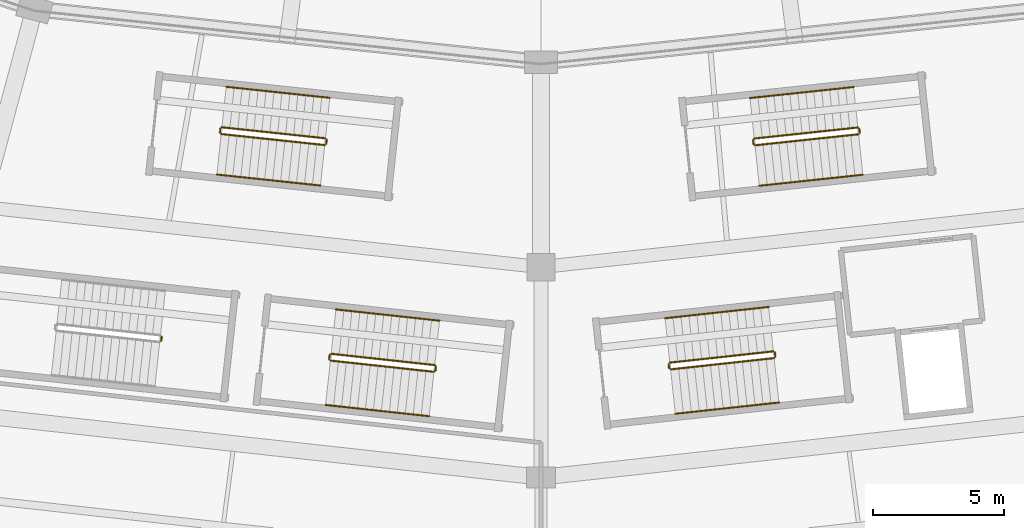
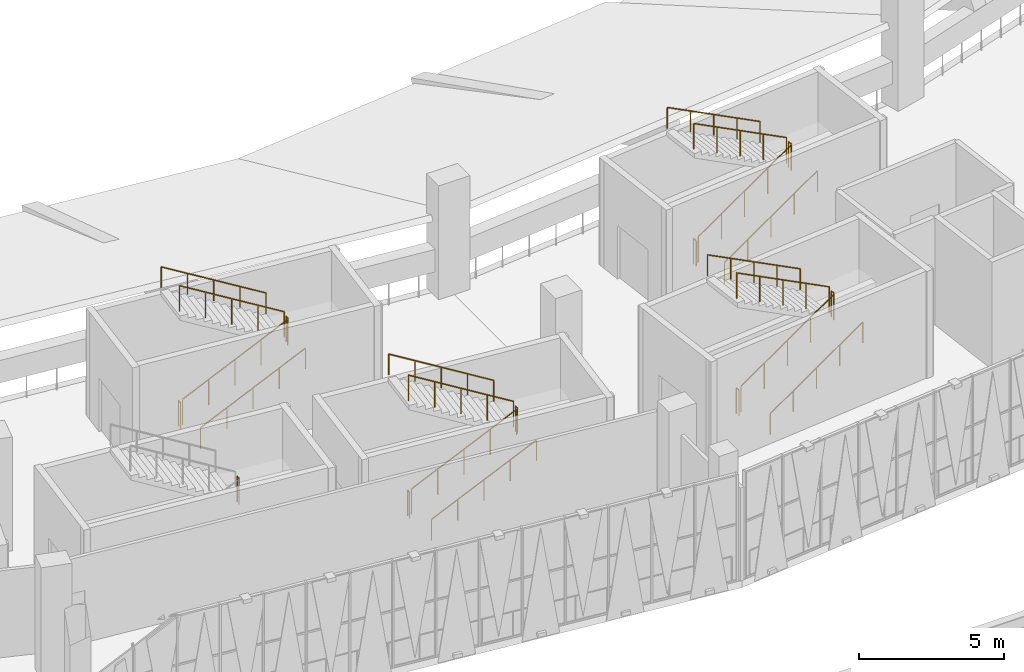
# One storey, part 135 of 183: 25 railings.
"""IFC4 building model written with IfcOpenShell, lengths in metres."""

from ifc_helpers import new_model, si_unit, direction, frame, origin, origin_2d, place, context, subcontext, project, spatial, circle, extrude, material, type_object, element, save


model = new_model("IFC4")

# Units and contexts
model_context = context("Model", 3, precision=1e-05, world=origin(), true_north=direction((0.0, 1.0)))
body_context = subcontext(model_context, "Body", "Model", "MODEL_VIEW")
ifc_project = project(units=[si_unit("LENGTHUNIT", "METRE"), si_unit("AREAUNIT", "SQUARE_METRE"), si_unit("VOLUMEUNIT", "CUBIC_METRE"), si_unit("PLANEANGLEUNIT", "RADIAN"), si_unit("MASSUNIT", "GRAM", prefix="KILO")], contexts=[model_context])

# Site, building, storey
site_placement = place(None, origin())
site = spatial("IfcSite", under=ifc_project, at=site_placement, CompositionType="ELEMENT")
building_placement = place(site_placement, origin())
building = spatial("IfcBuilding", under=site, at=building_placement, Name="Zevraka Park Crest Stadium", CompositionType="ELEMENT")
storey_placement = place(building_placement, frame((0.0, 0.0, 5.39990234375)))
storey = spatial("IfcBuildingStorey", under=building, at=storey_placement, Name="L01", CompositionType="ELEMENT", Elevation=5.39990234375)

# Railings
ifc_material_1 = material(Name="Powder-coated tubular steel stairwell guard", Category="steel")
railing_type_1 = type_object("IfcRailingType", Name="GR03", PredefinedType="GUARDRAIL", material=ifc_material_1)
railing_1_placement = place(storey_placement, frame((97.54345703125, 21.893310546875, 2.400146484375)))
element("IfcRailing", 1, at=railing_1_placement, inside=storey, type_object=railing_type_1, Name="L01 ST18 stair guard 2", PredefinedType="GUARDRAIL", context=body_context, shape_type="SweptSolid", body=[
    extrude(circle(Radius=0.02392578125, at=origin_2d()), frame((0.0, 0.0, 1.076171875), z_axis=(0.108255734054, 0.994123078921, 0.0), x_axis=(-0.994123078921, 0.108255734054, 0.0)), (0.0, 0.0, 1.0), 0.16015625),
    extrude(circle(Radius=0.02099609375, at=origin_2d()), origin(), (0.0, 0.0, 1.0), 1.052001953125),
    extrude(circle(Radius=0.02099609375, at=origin_2d()), frame((0.017333984375, 0.1591796875, 0.0)), (0.0, 0.0, 1.0), 1.052001953125),
])
railing_2_placement = place(storey_placement, frame((116.932861328125, 20.80615234375, 0.171630859375)))
element("IfcRailing", 2, at=railing_2_placement, inside=storey, type_object=railing_type_1, Name="L01 ST19 stair guard 1", PredefinedType="GUARDRAIL", context=body_context, shape_type="SweptSolid", body=[
    extrude(circle(Radius=0.02392578125, at=origin_2d()), frame((0.0, 0.0, 1.076171875), z_axis=(0.866632504116, 0.094360209478, 0.489943112695), x_axis=(-0.108241734952, 0.994124603264, 0.0)), (0.0, 0.0, 1.0), 4.548583984375),
    extrude(circle(Radius=0.02099609375, at=origin_2d()), origin(), (0.0, 0.0, 1.0), 1.052001953125),
    extrude(circle(Radius=0.02099609375, at=origin_2d()), frame((0.9853515625, 0.107421875, 0.55712890625)), (0.0, 0.0, 1.0), 1.052001953125),
    extrude(circle(Radius=0.02099609375, at=origin_2d()), frame((1.970947265625, 0.214599609375, 1.1142578125)), (0.0, 0.0, 1.0), 1.052001953125),
    extrude(circle(Radius=0.02099609375, at=origin_2d()), frame((2.95654296875, 0.32177734375, 1.67138671875)), (0.0, 0.0, 1.0), 1.052001953125),
    extrude(circle(Radius=0.02099609375, at=origin_2d()), frame((3.94189453125, 0.42919921875, 2.228515625)), (0.0, 0.0, 1.0), 1.052001953125),
])
railing_3_placement = place(storey_placement, frame((120.9189453125, 21.29052734375, 2.400146484375)))
element("IfcRailing", 3, at=railing_3_placement, inside=storey, type_object=railing_type_1, Name="L01 ST19 stair guard 2", PredefinedType="GUARDRAIL", context=body_context, shape_type="SweptSolid", body=[
    extrude(circle(Radius=0.02392578125, at=origin_2d()), frame((0.0, 0.0, 1.076171875), z_axis=(-0.108420072245, 0.994105169454, 0.0), x_axis=(-0.994105169454, -0.108420072245, 0.0)), (0.0, 0.0, 1.0), 0.159912109375),
    extrude(circle(Radius=0.02099609375, at=origin_2d()), origin(), (0.0, 0.0, 1.0), 1.052001953125),
    extrude(circle(Radius=0.02099609375, at=origin_2d()), frame((-0.017333984375, 0.158935546875, 0.0)), (0.0, 0.0, 1.0), 1.052001953125),
])
railing_4_placement = place(storey_placement, frame((120.846435546875, 21.493896484375, 2.571533203125)))
element("IfcRailing", 4, at=railing_4_placement, inside=storey, type_object=railing_type_1, Name="L01 ST19 stair guard 3", PredefinedType="GUARDRAIL", context=body_context, shape_type="SweptSolid", body=[
    extrude(circle(Radius=0.02392578125, at=origin_2d()), frame((0.0, 0.0, 1.076171875), z_axis=(-0.866619140956, -0.094364598935, 0.489965903911), x_axis=(0.108248360745, -0.994123881816, 0.0)), (0.0, 0.0, 1.0), 4.54833984375),
    extrude(circle(Radius=0.02099609375, at=origin_2d()), origin(), (0.0, 0.0, 1.0), 1.052001953125),
    extrude(circle(Radius=0.02099609375, at=origin_2d()), frame((-0.9853515625, -0.107421875, 0.55712890625)), (0.0, 0.0, 1.0), 1.052001953125),
    extrude(circle(Radius=0.02099609375, at=origin_2d()), frame((-1.970703125, -0.214599609375, 1.1142578125)), (0.0, 0.0, 1.0), 1.052001953125),
    extrude(circle(Radius=0.02099609375, at=origin_2d()), frame((-2.956298828125, -0.32177734375, 1.67138671875)), (0.0, 0.0, 1.0), 1.052001953125),
    extrude(circle(Radius=0.02099609375, at=origin_2d()), frame((-3.941650390625, -0.42919921875, 2.228515625)), (0.0, 0.0, 1.0), 1.052001953125),
])
railing_5_placement = place(storey_placement, frame((116.8779296875, 20.8505859375, 0.0)))
element("IfcRailing", 5, at=railing_5_placement, inside=storey, type_object=railing_type_1, Name="L01 ST19 stair guard 4", PredefinedType="GUARDRAIL", context=body_context, shape_type="SweptSolid", body=[
    extrude(circle(Radius=0.02392578125, at=origin_2d()), frame((0.0, 0.0, 1.076171875), z_axis=(-0.108420072245, 0.994105169454, 0.0), x_axis=(-0.994105169454, -0.108420072245, 0.0)), (0.0, 0.0, 1.0), 0.159912109375),
    extrude(circle(Radius=0.02099609375, at=origin_2d()), origin(), (0.0, 0.0, 1.0), 1.052001953125),
    extrude(circle(Radius=0.02099609375, at=origin_2d()), frame((-0.017333984375, 0.158935546875, 0.0)), (0.0, 0.0, 1.0), 1.052001953125),
])
railing_6_placement = place(storey_placement, frame((103.984619140625, 21.14208984375, 0.171630859375)))
element("IfcRailing", 6, at=railing_6_placement, inside=storey, type_object=railing_type_1, Name="L01 ST30 stair guard 1", PredefinedType="GUARDRAIL", context=body_context, shape_type="SweptSolid", body=[
    extrude(circle(Radius=0.02392578125, at=origin_2d()), frame((0.0, 0.0, 1.076171875), z_axis=(0.866636892187, -0.094307012237, 0.489945593452), x_axis=(0.108180884773, 0.994131226836, 0.0)), (0.0, 0.0, 1.0), 4.548583984375),
    extrude(circle(Radius=0.02099609375, at=origin_2d()), origin(), (0.0, 0.0, 1.0), 1.052001953125),
    extrude(circle(Radius=0.02099609375, at=origin_2d()), frame((0.9853515625, -0.107177734375, 0.55712890625)), (0.0, 0.0, 1.0), 1.052001953125),
    extrude(circle(Radius=0.02099609375, at=origin_2d()), frame((1.970947265625, -0.21435546875, 1.1142578125)), (0.0, 0.0, 1.0), 1.052001953125),
    extrude(circle(Radius=0.02099609375, at=origin_2d()), frame((2.95654296875, -0.32177734375, 1.67138671875)), (0.0, 0.0, 1.0), 1.052001953125),
    extrude(circle(Radius=0.02099609375, at=origin_2d()), frame((3.94189453125, -0.428955078125, 2.228515625)), (0.0, 0.0, 1.0), 1.052001953125),
])
railing_7_placement = place(storey_placement, frame((107.9814453125, 20.75732421875, 2.400146484375)))
element("IfcRailing", 7, at=railing_7_placement, inside=storey, type_object=railing_type_1, Name="L01 ST30 stair guard 2", PredefinedType="GUARDRAIL", context=body_context, shape_type="SweptSolid", body=[
    extrude(circle(Radius=0.02392578125, at=origin_2d()), frame((0.0, 0.0, 1.076171875), z_axis=(0.108255734054, 0.994123078921, 0.0), x_axis=(-0.994123078921, 0.108255734054, 0.0)), (0.0, 0.0, 1.0), 0.16015625),
    extrude(circle(Radius=0.02099609375, at=origin_2d()), origin(), (0.0, 0.0, 1.0), 1.052001953125),
    extrude(circle(Radius=0.02099609375, at=origin_2d()), frame((0.017333984375, 0.1591796875, 0.0)), (0.0, 0.0, 1.0), 1.052001953125),
])
railing_8_placement = place(storey_placement, frame((107.95458984375, 20.9716796875, 2.571533203125)))
element("IfcRailing", 8, at=railing_8_placement, inside=storey, type_object=railing_type_1, Name="L01 ST30 stair guard 3", PredefinedType="GUARDRAIL", context=body_context, shape_type="SweptSolid", body=[
    extrude(circle(Radius=0.02392578125, at=origin_2d()), frame((0.0, 0.0, 1.076171875), z_axis=(-0.866623529368, 0.094311399263, 0.489968385015), x_axis=(-0.10818750693, -0.994130506193, 0.0)), (0.0, 0.0, 1.0), 4.54833984375),
    extrude(circle(Radius=0.02099609375, at=origin_2d()), origin(), (0.0, 0.0, 1.0), 1.052001953125),
    extrude(circle(Radius=0.02099609375, at=origin_2d()), frame((-0.9853515625, 0.107177734375, 0.55712890625)), (0.0, 0.0, 1.0), 1.052001953125),
    extrude(circle(Radius=0.02099609375, at=origin_2d()), frame((-1.970703125, 0.21435546875, 1.1142578125)), (0.0, 0.0, 1.0), 1.052001953125),
    extrude(circle(Radius=0.02099609375, at=origin_2d()), frame((-2.956298828125, 0.32177734375, 1.67138671875)), (0.0, 0.0, 1.0), 1.052001953125),
    extrude(circle(Radius=0.02099609375, at=origin_2d()), frame((-3.941650390625, 0.428955078125, 2.228515625)), (0.0, 0.0, 1.0), 1.052001953125),
])
railing_9_placement = place(storey_placement, frame((103.9404296875, 21.197265625, 0.0)))
element("IfcRailing", 9, at=railing_9_placement, inside=storey, type_object=railing_type_1, Name="L01 ST30 stair guard 4", PredefinedType="GUARDRAIL", context=body_context, shape_type="SweptSolid", body=[
    extrude(circle(Radius=0.02392578125, at=origin_2d()), frame((0.0, 0.0, 1.076171875), z_axis=(0.108255734054, 0.994123078921, 0.0), x_axis=(-0.994123078921, 0.108255734054, 0.0)), (0.0, 0.0, 1.0), 0.16015625),
    extrude(circle(Radius=0.02099609375, at=origin_2d()), origin(), (0.0, 0.0, 1.0), 1.052001953125),
    extrude(circle(Radius=0.02099609375, at=origin_2d()), frame((0.017333984375, 0.1591796875, 0.0)), (0.0, 0.0, 1.0), 1.052001953125),
])
railing_10_placement = place(storey_placement, frame((99.82666015625, 29.7646484375, 0.171630859375)))
element("IfcRailing", 10, at=railing_10_placement, inside=storey, type_object=railing_type_1, Name="L01 ST41 stair guard 1", PredefinedType="GUARDRAIL", context=body_context, shape_type="SweptSolid", body=[
    extrude(circle(Radius=0.02392578125, at=origin_2d()), frame((0.0, 0.0, 1.076171875), z_axis=(0.866841875969, -0.092272040671, 0.489970440513), x_axis=(0.105848236242, 0.994382296144, 0.0)), (0.0, 0.0, 1.0), 4.54833984375),
    extrude(circle(Radius=0.02099609375, at=origin_2d()), origin(), (0.0, 0.0, 1.0), 1.052001953125),
    extrude(circle(Radius=0.02099609375, at=origin_2d()), frame((0.985595703125, -0.10498046875, 0.55712890625)), (0.0, 0.0, 1.0), 1.052001953125),
    extrude(circle(Radius=0.02099609375, at=origin_2d()), frame((1.97119140625, -0.2099609375, 1.1142578125)), (0.0, 0.0, 1.0), 1.052001953125),
    extrude(circle(Radius=0.02099609375, at=origin_2d()), frame((2.95703125, -0.314697265625, 1.67138671875)), (0.0, 0.0, 1.0), 1.052001953125),
    extrude(circle(Radius=0.02099609375, at=origin_2d()), frame((3.942626953125, -0.419677734375, 2.228515625)), (0.0, 0.0, 1.0), 1.052001953125),
])
railing_11_placement = place(storey_placement, frame((103.82421875, 29.389404296875, 2.400146484375)))
element("IfcRailing", 11, at=railing_11_placement, inside=storey, type_object=railing_type_1, Name="L01 ST41 stair guard 2", PredefinedType="GUARDRAIL", context=body_context, shape_type="SweptSolid", body=[
    extrude(circle(Radius=0.02392578125, at=origin_2d()), frame((0.0, 0.0, 1.076171875), z_axis=(0.106748502729, 0.994286053993, 0.0), x_axis=(-0.994286053993, 0.106748502729, 0.0)), (0.0, 0.0, 1.0), 0.16015625),
    extrude(circle(Radius=0.02099609375, at=origin_2d()), origin(), (0.0, 0.0, 1.0), 1.052001953125),
    extrude(circle(Radius=0.02099609375, at=origin_2d()), frame((0.01708984375, 0.1591796875, 0.0)), (0.0, 0.0, 1.0), 1.052001953125),
])
railing_12_placement = place(storey_placement, frame((103.796875, 29.603515625, 2.571533203125)))
element("IfcRailing", 12, at=railing_12_placement, inside=storey, type_object=railing_type_1, Name="L01 ST41 stair guard 3", PredefinedType="GUARDRAIL", context=body_context, shape_type="SweptSolid", body=[
    extrude(circle(Radius=0.02392578125, at=origin_2d()), frame((0.0, 0.0, 1.076171875), z_axis=(-0.866855218528, 0.092267747409, 0.489947643017), x_axis=(-0.105841755596, -0.994382985963, 0.0)), (0.0, 0.0, 1.0), 4.548583984375),
    extrude(circle(Radius=0.02099609375, at=origin_2d()), origin(), (0.0, 0.0, 1.0), 1.052001953125),
    extrude(circle(Radius=0.02099609375, at=origin_2d()), frame((-0.98583984375, 0.10498046875, 0.55712890625)), (0.0, 0.0, 1.0), 1.052001953125),
    extrude(circle(Radius=0.02099609375, at=origin_2d()), frame((-1.971435546875, 0.2099609375, 1.1142578125)), (0.0, 0.0, 1.0), 1.052001953125),
    extrude(circle(Radius=0.02099609375, at=origin_2d()), frame((-2.95703125, 0.314697265625, 1.67138671875)), (0.0, 0.0, 1.0), 1.052001953125),
    extrude(circle(Radius=0.02099609375, at=origin_2d()), frame((-3.94287109375, 0.419677734375, 2.228515625)), (0.0, 0.0, 1.0), 1.052001953125),
])
railing_13_placement = place(storey_placement, frame((99.7822265625, 29.819580078125, 0.0)))
element("IfcRailing", 13, at=railing_13_placement, inside=storey, type_object=railing_type_1, Name="L01 ST41 stair guard 4", PredefinedType="GUARDRAIL", context=body_context, shape_type="SweptSolid", body=[
    extrude(circle(Radius=0.02392578125, at=origin_2d()), frame((0.0, 0.0, 1.076171875), z_axis=(0.105240535143, 0.994446795843, 0.0), x_axis=(-0.994446795843, 0.105240535143, 0.0)), (0.0, 0.0, 1.0), 0.16015625),
    extrude(circle(Radius=0.02099609375, at=origin_2d()), origin(), (0.0, 0.0, 1.0), 1.052001953125),
    extrude(circle(Radius=0.02099609375, at=origin_2d()), frame((0.016845703125, 0.1591796875, 0.0)), (0.0, 0.0, 1.0), 1.052001953125),
])
railing_14_placement = place(storey_placement, frame((120.145751953125, 29.33642578125, 0.171630859375)))
element("IfcRailing", 14, at=railing_14_placement, inside=storey, type_object=railing_type_1, Name="L01 ST42 stair guard 1", PredefinedType="GUARDRAIL", context=body_context, shape_type="SweptSolid", body=[
    extrude(circle(Radius=0.02392578125, at=origin_2d()), frame((0.0, 0.0, 1.076171875), z_axis=(0.866855218528, 0.092267747409, 0.489947643017), x_axis=(-0.105841755596, 0.994382985963, 0.0)), (0.0, 0.0, 1.0), 4.548583984375),
    extrude(circle(Radius=0.02099609375, at=origin_2d()), origin(), (0.0, 0.0, 1.0), 1.052001953125),
    extrude(circle(Radius=0.02099609375, at=origin_2d()), frame((0.98583984375, 0.10498046875, 0.55712890625)), (0.0, 0.0, 1.0), 1.052001953125),
    extrude(circle(Radius=0.02099609375, at=origin_2d()), frame((1.971435546875, 0.2099609375, 1.1142578125)), (0.0, 0.0, 1.0), 1.052001953125),
    extrude(circle(Radius=0.02099609375, at=origin_2d()), frame((2.95703125, 0.314697265625, 1.67138671875)), (0.0, 0.0, 1.0), 1.052001953125),
    extrude(circle(Radius=0.02099609375, at=origin_2d()), frame((3.94287109375, 0.419677734375, 2.228515625)), (0.0, 0.0, 1.0), 1.052001953125),
])
railing_15_placement = place(storey_placement, frame((124.133056640625, 29.81103515625, 2.400146484375)))
element("IfcRailing", 15, at=railing_15_placement, inside=storey, type_object=railing_type_1, Name="L01 ST42 stair guard 2", PredefinedType="GUARDRAIL", context=body_context, shape_type="SweptSolid", body=[
    extrude(circle(Radius=0.02392578125, at=origin_2d()), frame((0.0, 0.0, 1.076171875), z_axis=(-0.106748502729, 0.994286053993, 0.0), x_axis=(-0.994286053993, -0.106748502729, 0.0)), (0.0, 0.0, 1.0), 0.16015625),
    extrude(circle(Radius=0.02099609375, at=origin_2d()), origin(), (0.0, 0.0, 1.0), 1.052001953125),
    extrude(circle(Radius=0.02099609375, at=origin_2d()), frame((-0.01708984375, 0.1591796875, 0.0)), (0.0, 0.0, 1.0), 1.052001953125),
])
railing_16_placement = place(storey_placement, frame((124.06103515625, 30.0146484375, 2.571533203125)))
element("IfcRailing", 16, at=railing_16_placement, inside=storey, type_object=railing_type_1, Name="L01 ST42 stair guard 3", PredefinedType="GUARDRAIL", context=body_context, shape_type="SweptSolid", body=[
    extrude(circle(Radius=0.02392578125, at=origin_2d()), frame((0.0, 0.0, 1.076171875), z_axis=(-0.866841875969, -0.092272040671, 0.489970440513), x_axis=(0.105848236242, -0.994382296144, 0.0)), (0.0, 0.0, 1.0), 4.54833984375),
    extrude(circle(Radius=0.02099609375, at=origin_2d()), origin(), (0.0, 0.0, 1.0), 1.052001953125),
    extrude(circle(Radius=0.02099609375, at=origin_2d()), frame((-0.985595703125, -0.10498046875, 0.55712890625)), (0.0, 0.0, 1.0), 1.052001953125),
    extrude(circle(Radius=0.02099609375, at=origin_2d()), frame((-1.97119140625, -0.2099609375, 1.1142578125)), (0.0, 0.0, 1.0), 1.052001953125),
    extrude(circle(Radius=0.02099609375, at=origin_2d()), frame((-2.95703125, -0.314697265625, 1.67138671875)), (0.0, 0.0, 1.0), 1.052001953125),
    extrude(circle(Radius=0.02099609375, at=origin_2d()), frame((-3.942626953125, -0.419677734375, 2.228515625)), (0.0, 0.0, 1.0), 1.052001953125),
])
railing_17_placement = place(storey_placement, frame((120.0908203125, 29.380859375, 0.0)))
element("IfcRailing", 17, at=railing_17_placement, inside=storey, type_object=railing_type_1, Name="L01 ST42 stair guard 4", PredefinedType="GUARDRAIL", context=body_context, shape_type="SweptSolid", body=[
    extrude(circle(Radius=0.02392578125, at=origin_2d()), frame((0.0, 0.0, 1.076171875), z_axis=(-0.105400400395, 0.994429864594, 0.0), x_axis=(-0.994429864594, -0.105400400395, 0.0)), (0.0, 0.0, 1.0), 0.159912109375),
    extrude(circle(Radius=0.02099609375, at=origin_2d()), origin(), (0.0, 0.0, 1.0), 1.052001953125),
    extrude(circle(Radius=0.02099609375, at=origin_2d()), frame((-0.016845703125, 0.158935546875, 0.0)), (0.0, 0.0, 1.0), 1.052001953125),
])
ifc_material_2 = material(Name="Brushed stainless steel continuous handrail", Category="steel")
railing_type_2 = type_object("IfcRailingType", Name="HR01", PredefinedType="HANDRAIL", material=ifc_material_2)
railing_18_placement = place(storey_placement, frame((117.116943359375, 19.1162109375, 0.171630859375)))
element("IfcRailing", 18, at=railing_18_placement, inside=storey, type_object=railing_type_2, Name="L01 ST19 stair handrail 1", PredefinedType="HANDRAIL", context=body_context, shape_type="SweptSolid", body=[
    extrude(circle(Radius=0.02392578125, at=origin_2d()), frame((0.0, 0.0, 0.8759765625), z_axis=(0.866619140956, 0.094364598935, 0.489965903911), x_axis=(-0.108248360745, 0.994123881816, 0.0)), (0.0, 0.0, 1.0), 4.54833984375),
    extrude(circle(Radius=0.02099609375, at=origin_2d()), origin(), (0.0, 0.0, 1.0), 0.851806640625),
    extrude(circle(Radius=0.02099609375, at=origin_2d()), frame((0.9853515625, 0.107421875, 0.55712890625)), (0.0, 0.0, 1.0), 0.851806640625),
    extrude(circle(Radius=0.02099609375, at=origin_2d()), frame((1.970703125, 0.214599609375, 1.1142578125)), (0.0, 0.0, 1.0), 0.851806640625),
    extrude(circle(Radius=0.02099609375, at=origin_2d()), frame((2.956298828125, 0.32177734375, 1.67138671875)), (0.0, 0.0, 1.0), 0.851806640625),
    extrude(circle(Radius=0.02099609375, at=origin_2d()), frame((3.941650390625, 0.42919921875, 2.228515625)), (0.0, 0.0, 1.0), 0.851806640625),
])
railing_19_placement = place(storey_placement, frame((120.66259765625, 23.183837890625, 2.571533203125)))
element("IfcRailing", 19, at=railing_19_placement, inside=storey, type_object=railing_type_2, Name="L01 ST19 stair handrail 2", PredefinedType="HANDRAIL", context=body_context, shape_type="SweptSolid", body=[
    extrude(circle(Radius=0.02392578125, at=origin_2d()), frame((0.0, 0.0, 0.8759765625), z_axis=(-0.866619140956, -0.094364598935, 0.489965903911), x_axis=(0.108248360745, -0.994123881816, 0.0)), (0.0, 0.0, 1.0), 4.54833984375),
    extrude(circle(Radius=0.02099609375, at=origin_2d()), origin(), (0.0, 0.0, 1.0), 0.851806640625),
    extrude(circle(Radius=0.02099609375, at=origin_2d()), frame((-0.9853515625, -0.107421875, 0.55712890625)), (0.0, 0.0, 1.0), 0.851806640625),
    extrude(circle(Radius=0.02099609375, at=origin_2d()), frame((-1.970703125, -0.214599609375, 1.1142578125)), (0.0, 0.0, 1.0), 0.851806640625),
    extrude(circle(Radius=0.02099609375, at=origin_2d()), frame((-2.956298828125, -0.32177734375, 1.67138671875)), (0.0, 0.0, 1.0), 0.851806640625),
    extrude(circle(Radius=0.02099609375, at=origin_2d()), frame((-3.941650390625, -0.42919921875, 2.228515625)), (0.0, 0.0, 1.0), 0.851806640625),
])
railing_20_placement = place(storey_placement, frame((103.80078125, 19.4521484375, 0.171630859375)))
element("IfcRailing", 20, at=railing_20_placement, inside=storey, type_object=railing_type_2, Name="L01 ST30 stair handrail 1", PredefinedType="HANDRAIL", context=body_context, shape_type="SweptSolid", body=[
    extrude(circle(Radius=0.02392578125, at=origin_2d()), frame((0.0, 0.0, 0.8759765625), z_axis=(0.866623529368, -0.094311399263, 0.489968385015), x_axis=(0.10818750693, 0.994130506193, 0.0)), (0.0, 0.0, 1.0), 4.54833984375),
    extrude(circle(Radius=0.02099609375, at=origin_2d()), origin(), (0.0, 0.0, 1.0), 0.851806640625),
    extrude(circle(Radius=0.02099609375, at=origin_2d()), frame((0.9853515625, -0.107177734375, 0.55712890625)), (0.0, 0.0, 1.0), 0.851806640625),
    extrude(circle(Radius=0.02099609375, at=origin_2d()), frame((1.970703125, -0.21435546875, 1.1142578125)), (0.0, 0.0, 1.0), 0.851806640625),
    extrude(circle(Radius=0.02099609375, at=origin_2d()), frame((2.956298828125, -0.32177734375, 1.67138671875)), (0.0, 0.0, 1.0), 0.851806640625),
    extrude(circle(Radius=0.02099609375, at=origin_2d()), frame((3.941650390625, -0.428955078125, 2.228515625)), (0.0, 0.0, 1.0), 0.851806640625),
])
railing_21_placement = place(storey_placement, frame((108.138427734375, 22.66162109375, 2.571533203125)))
element("IfcRailing", 21, at=railing_21_placement, inside=storey, type_object=railing_type_2, Name="L01 ST30 stair handrail 2", PredefinedType="HANDRAIL", context=body_context, shape_type="SweptSolid", body=[
    extrude(circle(Radius=0.02392578125, at=origin_2d()), frame((0.0, 0.0, 0.8759765625), z_axis=(-0.866623529368, 0.094311399263, 0.489968385015), x_axis=(-0.10818750693, -0.994130506193, 0.0)), (0.0, 0.0, 1.0), 4.54833984375),
    extrude(circle(Radius=0.02099609375, at=origin_2d()), origin(), (0.0, 0.0, 1.0), 0.851806640625),
    extrude(circle(Radius=0.02099609375, at=origin_2d()), frame((-0.9853515625, 0.107177734375, 0.55712890625)), (0.0, 0.0, 1.0), 0.851806640625),
    extrude(circle(Radius=0.02099609375, at=origin_2d()), frame((-1.970703125, 0.21435546875, 1.1142578125)), (0.0, 0.0, 1.0), 0.851806640625),
    extrude(circle(Radius=0.02099609375, at=origin_2d()), frame((-2.956298828125, 0.32177734375, 1.67138671875)), (0.0, 0.0, 1.0), 0.851806640625),
    extrude(circle(Radius=0.02099609375, at=origin_2d()), frame((-3.941650390625, 0.428955078125, 2.228515625)), (0.0, 0.0, 1.0), 0.851806640625),
])
railing_22_placement = place(storey_placement, frame((99.66259765625, 28.223388671875, 0.171630859375)))
element("IfcRailing", 22, at=railing_22_placement, inside=storey, type_object=railing_type_2, Name="L01 ST41 stair handrail 1", PredefinedType="HANDRAIL", context=body_context, shape_type="SweptSolid", body=[
    extrude(circle(Radius=0.02392578125, at=origin_2d()), frame((0.0, 0.0, 0.8759765625), z_axis=(0.866841875969, -0.092272040671, 0.489970440513), x_axis=(0.105848236242, 0.994382296144, 0.0)), (0.0, 0.0, 1.0), 4.54833984375),
    extrude(circle(Radius=0.02099609375, at=origin_2d()), origin(), (0.0, 0.0, 1.0), 0.851806640625),
    extrude(circle(Radius=0.02099609375, at=origin_2d()), frame((0.985595703125, -0.10498046875, 0.55712890625)), (0.0, 0.0, 1.0), 0.851806640625),
    extrude(circle(Radius=0.02099609375, at=origin_2d()), frame((1.97119140625, -0.2099609375, 1.1142578125)), (0.0, 0.0, 1.0), 0.851806640625),
    extrude(circle(Radius=0.02099609375, at=origin_2d()), frame((2.95703125, -0.314697265625, 1.67138671875)), (0.0, 0.0, 1.0), 0.851806640625),
    extrude(circle(Radius=0.02099609375, at=origin_2d()), frame((3.942626953125, -0.419677734375, 2.228515625)), (0.0, 0.0, 1.0), 0.851806640625),
])
railing_23_placement = place(storey_placement, frame((103.9609375, 31.144775390625, 2.571533203125)))
element("IfcRailing", 23, at=railing_23_placement, inside=storey, type_object=railing_type_2, Name="L01 ST41 stair handrail 2", PredefinedType="HANDRAIL", context=body_context, shape_type="SweptSolid", body=[
    extrude(circle(Radius=0.02392578125, at=origin_2d()), frame((0.0, 0.0, 0.8759765625), z_axis=(-0.866841875969, 0.092272040671, 0.489970440513), x_axis=(-0.105848236242, -0.994382296144, 0.0)), (0.0, 0.0, 1.0), 4.54833984375),
    extrude(circle(Radius=0.02099609375, at=origin_2d()), origin(), (0.0, 0.0, 1.0), 0.851806640625),
    extrude(circle(Radius=0.02099609375, at=origin_2d()), frame((-0.985595703125, 0.10498046875, 0.55712890625)), (0.0, 0.0, 1.0), 0.851806640625),
    extrude(circle(Radius=0.02099609375, at=origin_2d()), frame((-1.97119140625, 0.2099609375, 1.1142578125)), (0.0, 0.0, 1.0), 0.851806640625),
    extrude(circle(Radius=0.02099609375, at=origin_2d()), frame((-2.95703125, 0.314697265625, 1.67138671875)), (0.0, 0.0, 1.0), 0.851806640625),
    extrude(circle(Radius=0.02099609375, at=origin_2d()), frame((-3.942626953125, 0.419677734375, 2.228515625)), (0.0, 0.0, 1.0), 0.851806640625),
])
railing_24_placement = place(storey_placement, frame((120.31005859375, 27.795166015625, 0.171630859375)))
element("IfcRailing", 24, at=railing_24_placement, inside=storey, type_object=railing_type_2, Name="L01 ST42 stair handrail 1", PredefinedType="HANDRAIL", context=body_context, shape_type="SweptSolid", body=[
    extrude(circle(Radius=0.02392578125, at=origin_2d()), frame((0.0, 0.0, 0.8759765625), z_axis=(0.866841875969, 0.092272040671, 0.489970440513), x_axis=(-0.105848236242, 0.994382296144, 0.0)), (0.0, 0.0, 1.0), 4.54833984375),
    extrude(circle(Radius=0.02099609375, at=origin_2d()), origin(), (0.0, 0.0, 1.0), 0.851806640625),
    extrude(circle(Radius=0.02099609375, at=origin_2d()), frame((0.985595703125, 0.10498046875, 0.55712890625)), (0.0, 0.0, 1.0), 0.851806640625),
    extrude(circle(Radius=0.02099609375, at=origin_2d()), frame((1.97119140625, 0.2099609375, 1.1142578125)), (0.0, 0.0, 1.0), 0.851806640625),
    extrude(circle(Radius=0.02099609375, at=origin_2d()), frame((2.95703125, 0.314697265625, 1.67138671875)), (0.0, 0.0, 1.0), 0.851806640625),
    extrude(circle(Radius=0.02099609375, at=origin_2d()), frame((3.942626953125, 0.419677734375, 2.228515625)), (0.0, 0.0, 1.0), 0.851806640625),
])
railing_25_placement = place(storey_placement, frame((123.89697265625, 31.555908203125, 2.571533203125)))
element("IfcRailing", 25, at=railing_25_placement, inside=storey, type_object=railing_type_2, Name="L01 ST42 stair handrail 2", PredefinedType="HANDRAIL", context=body_context, shape_type="SweptSolid", body=[
    extrude(circle(Radius=0.02392578125, at=origin_2d()), frame((0.0, 0.0, 0.8759765625), z_axis=(-0.866841875969, -0.092272040671, 0.489970440513), x_axis=(0.105848236242, -0.994382296144, 0.0)), (0.0, 0.0, 1.0), 4.54833984375),
    extrude(circle(Radius=0.02099609375, at=origin_2d()), origin(), (0.0, 0.0, 1.0), 0.851806640625),
    extrude(circle(Radius=0.02099609375, at=origin_2d()), frame((-0.985595703125, -0.10498046875, 0.55712890625)), (0.0, 0.0, 1.0), 0.851806640625),
    extrude(circle(Radius=0.02099609375, at=origin_2d()), frame((-1.97119140625, -0.2099609375, 1.1142578125)), (0.0, 0.0, 1.0), 0.851806640625),
    extrude(circle(Radius=0.02099609375, at=origin_2d()), frame((-2.95703125, -0.314697265625, 1.67138671875)), (0.0, 0.0, 1.0), 0.851806640625),
    extrude(circle(Radius=0.02099609375, at=origin_2d()), frame((-3.942626953125, -0.419677734375, 2.228515625)), (0.0, 0.0, 1.0), 0.851806640625),
])

save(model, "model.ifc")
